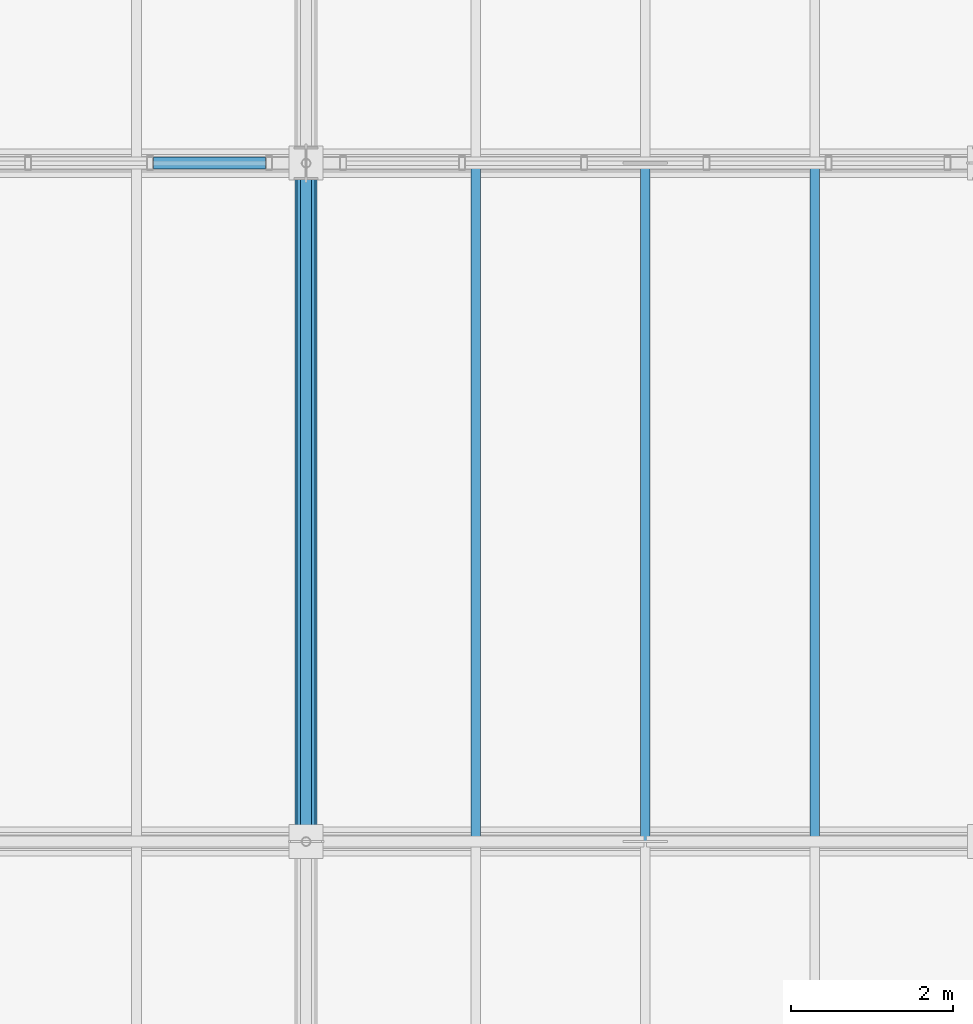
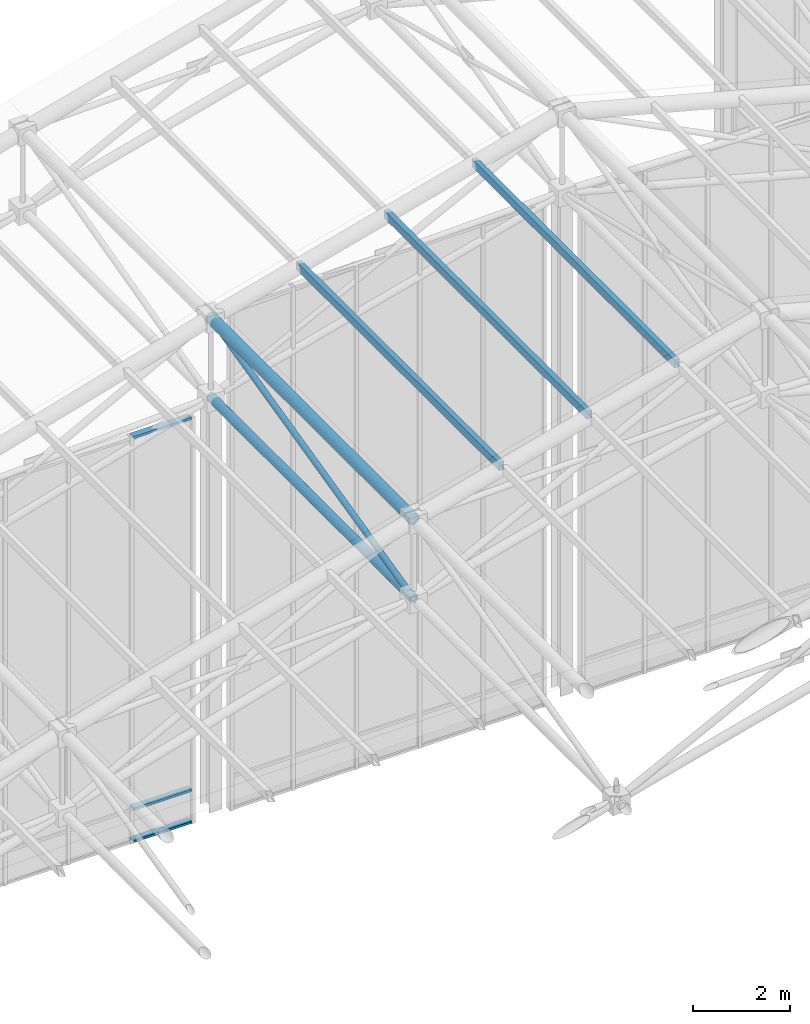
# One storey, part 71 of 144: 9 members, 1 element without a shape of its own.
"""IFC4 building model written with IfcOpenShell, lengths in metres."""

from ifc_helpers import new_model, si_unit, direction, frame, origin, origin_2d, place, context, subcontext, project, spatial, hollow_rectangle, hollow_circle, extrude, material, layer, layer_set, material_profile, profile_set, type_object, element, aggregate, save


model = new_model("IFC4")

# Units and contexts
model_context = context("Model", 3, precision=1e-05, world=origin(), true_north=direction((0.0, 1.0)))
body_context = subcontext(model_context, "Body", "Model", "MODEL_VIEW")
ifc_project = project(units=[si_unit("LENGTHUNIT", "METRE"), si_unit("AREAUNIT", "SQUARE_METRE"), si_unit("VOLUMEUNIT", "CUBIC_METRE"), si_unit("PLANEANGLEUNIT", "RADIAN"), si_unit("MASSUNIT", "GRAM", prefix="KILO")], contexts=[model_context])

# Site, building, storey
site_placement = place(None, origin())
site = spatial("IfcSite", under=ifc_project, at=site_placement, CompositionType="ELEMENT")
building_placement = place(site_placement, origin())
building = spatial("IfcBuilding", under=site, at=building_placement, Name="Zayran Congress Hotel", CompositionType="ELEMENT")
storey_placement = place(building_placement, frame((0.0, 0.0, 19.199951171875)))
storey = spatial("IfcBuildingStorey", under=building, at=storey_placement, Name="L04", CompositionType="ELEMENT", Elevation=19.199951171875)

# Members
ifc_material_1 = material(Name="Steel S355", Category="steel")
ifc_material_profile_1 = material_profile(ifc_material_1, hollow_circle(Radius=0.136474609375, WallThickness=0.012451171875, at=origin_2d()), Name="CHS 273x12.5")
ifc_profile_set_1 = profile_set([ifc_material_profile_1], Name="Steel S355")
member_type_1 = type_object("IfcMemberType", Name="TP-SF-TC2", PredefinedType="CHORD", material=ifc_profile_set_1)
member_1_placement = place(storey_placement, frame((42.0, 101.199951171875, 12.35205078125), z_axis=(0.0, 1.0, 0.0), x_axis=(-1.0, 0.0, 0.0)))
element("IfcMember", 1, at=member_1_placement, inside=storey, type_object=member_type_1, Name="Space Frame Top Chord Y 255", PredefinedType="CHORD", context=body_context, shape_type="SweptSolid", body=[
    extrude(hollow_circle(Radius=0.136474609375, WallThickness=0.012451171875, at=origin_2d()), origin(), (0.0, 0.0, 1.0), 8.400146484375),
])
ifc_material_profile_2 = material_profile(ifc_material_1, hollow_circle(Radius=0.109619140625, WallThickness=0.010009765625, at=origin_2d()), Name="CHS 219.1x10")
ifc_profile_set_2 = profile_set([ifc_material_profile_2], Name="Steel S355")
member_type_2 = type_object("IfcMemberType", Name="TP-SF-BC1", PredefinedType="CHORD", material=ifc_profile_set_2)
member_2_placement = place(storey_placement, frame((42.0, 101.199951171875, 10.35009765625), z_axis=(0.0, 1.0, 0.0), x_axis=(-1.0, 0.0, 0.0)))
element("IfcMember", 2, at=member_2_placement, inside=storey, type_object=member_type_2, Name="Space Frame Bottom Chord Y 256", PredefinedType="CHORD", context=body_context, shape_type="SweptSolid", body=[
    extrude(hollow_circle(Radius=0.109619140625, WallThickness=0.010009765625, at=origin_2d()), origin(), (0.0, 0.0, 1.0), 8.400146484375),
])
ifc_material_profile_3 = material_profile(ifc_material_1, hollow_circle(Radius=0.06982421875, WallThickness=0.00634765625, at=origin_2d()), Name="CHS 139.7x6.3")
ifc_profile_set_3 = profile_set([ifc_material_profile_3], Name="Steel S355")
member_type_3 = type_object("IfcMemberType", Name="TP-SF-DG2", PredefinedType="BRACE", material=ifc_profile_set_3)
member_3_placement = place(storey_placement, frame((42.0, 101.199951171875, 10.35009765625), z_axis=(0.0, 0.972756139537, 0.231830742122), x_axis=(-1.0, 0.0, 0.0)))
element("IfcMember", 3, at=member_3_placement, inside=storey, type_object=member_type_3, Name="Space Frame Web Diagonal Y 257", PredefinedType="BRACE", context=body_context, shape_type="SweptSolid", body=[
    extrude(hollow_circle(Radius=0.06982421875, WallThickness=0.00634765625, at=origin_2d()), origin(), (0.0, 0.0, 1.0), 8.635498046875),
])
ifc_material_profile_4 = material_profile(ifc_material_1, hollow_rectangle(XDim=0.1201171875, YDim=0.199951171875, WallThickness=0.008056640625, at=origin_2d()), Name="RHS 200x120x8")
ifc_profile_set_4 = profile_set([ifc_material_profile_4], Name="Steel S355")
member_type_4 = type_object("IfcMemberType", Name="TP-PR-01", PredefinedType="PURLIN", material=ifc_profile_set_4)
for number, where, z_axis, x_axis, name in (
    (4, (44.10009765625, 101.199951171875, 12.95654296875), (0.0, 1.0, 0.0), (-1.0, 0.0, 0.0), "MEM-PR-V1-0077"),
    (5, (46.199951171875, 101.199951171875, 13.51904296875), (0.0, 1.0, 0.0), (-1.0, 0.0, 0.0), "MEM-PR-V1-0083"),
    (6, (48.300048828125, 101.199951171875, 14.08154296875), (0.0, 1.0, 0.0), (-1.0, 0.0, 0.0), "MEM-PR-V1-0089"),
):
    element("IfcMember", number, at=place(storey_placement, frame(where, z_axis=z_axis, x_axis=x_axis)), inside=storey, type_object=member_type_4, Name=name, PredefinedType="PURLIN", context=body_context, shape_type="SweptSolid", body=[
        extrude(hollow_rectangle(XDim=0.1201171875, YDim=0.199951171875, WallThickness=0.008056640625, at=origin_2d()), origin(), (0.0, 0.0, 1.0), 8.400146484375),
    ])

# Curtain wall, members
ifc_material_2 = material(Name="Anodised aluminium and low-E insulated glass", Category="aluminium")
ifc_layer = layer(ifc_material_2, 0.179931640625)
ifc_layer_set = layer_set([ifc_layer], Name="Anodised aluminium and low-E insulated glass")
curtain_wall_type = type_object("IfcCurtainWallType", Name="CW-V1CL-L04-CW-21-7560-10270", PredefinedType="USERDEFINED", material=ifc_layer_set)
curtain_wall_placement = place(storey_placement, origin())
curtain_wall = element("IfcCurtainWall", 7, at=curtain_wall_placement, inside=storey, type_object=curtain_wall_type, Name="CW-V1CLN-3", ObjectType="CURTAIN WALL", PredefinedType="USERDEFINED")
ifc_material_3 = material(Name="Anodised aluminium framing", Category="aluminium")
ifc_material_profile_5 = material_profile(ifc_material_3, hollow_rectangle(XDim=0.06005859375, YDim=0.14990234375, WallThickness=0.00390625, at=origin_2d()), Name="RHS 150x60x4")
ifc_profile_set_5 = profile_set([ifc_material_profile_5], Name="Anodised aluminium framing")
member_type_5 = type_object("IfcMemberType", Name="TP-CWT-01", PredefinedType="USERDEFINED", material=ifc_profile_set_5)
member_4_placement = place(storey_placement, frame((41.5, 109.60009765625, -0.18994140625), z_axis=(-1.0, 0.0, 0.0), x_axis=(0.0, 0.0, 1.0)))
member_4 = element("IfcMember", 8, at=member_4_placement, type_object=member_type_5, Name="CW-V1CLN-3-T00-0", ObjectType="TRANSOM", PredefinedType="USERDEFINED", context=body_context, shape_type="SweptSolid", body=[
    extrude(hollow_rectangle(XDim=0.06005859375, YDim=0.14990234375, WallThickness=0.00390625, at=origin_2d()), origin(), (0.0, 0.0, 1.0), 1.39208984375),
])
member_5_placement = place(storey_placement, frame((41.5, 109.60009765625, 0.6201171875), z_axis=(-1.0, 0.0, 0.0), x_axis=(0.0, 0.0, 1.0)))
member_5 = element("IfcMember", 9, at=member_5_placement, type_object=member_type_5, Name="CW-V1CLN-3-T00-1", ObjectType="TRANSOM", PredefinedType="USERDEFINED", context=body_context, shape_type="SweptSolid", body=[
    extrude(hollow_rectangle(XDim=0.06005859375, YDim=0.14990234375, WallThickness=0.00390625, at=origin_2d()), origin(), (0.0, 0.0, 1.0), 1.39208984375),
])
member_6_placement = place(storey_placement, frame((41.5, 109.60009765625, 10.02001953125), z_axis=(-1.0, 0.0, 0.0), x_axis=(0.0, 0.0, 1.0)))
member_6 = element("IfcMember", 10, at=member_6_placement, type_object=member_type_5, Name="CW-V1CLN-3-T00-2", ObjectType="TRANSOM", PredefinedType="USERDEFINED", context=body_context, shape_type="SweptSolid", body=[
    extrude(hollow_rectangle(XDim=0.06005859375, YDim=0.14990234375, WallThickness=0.00390625, at=origin_2d()), origin(), (0.0, 0.0, 1.0), 1.39208984375),
])
aggregate(curtain_wall, [member_4, member_5, member_6])

save(model, "model.ifc")
